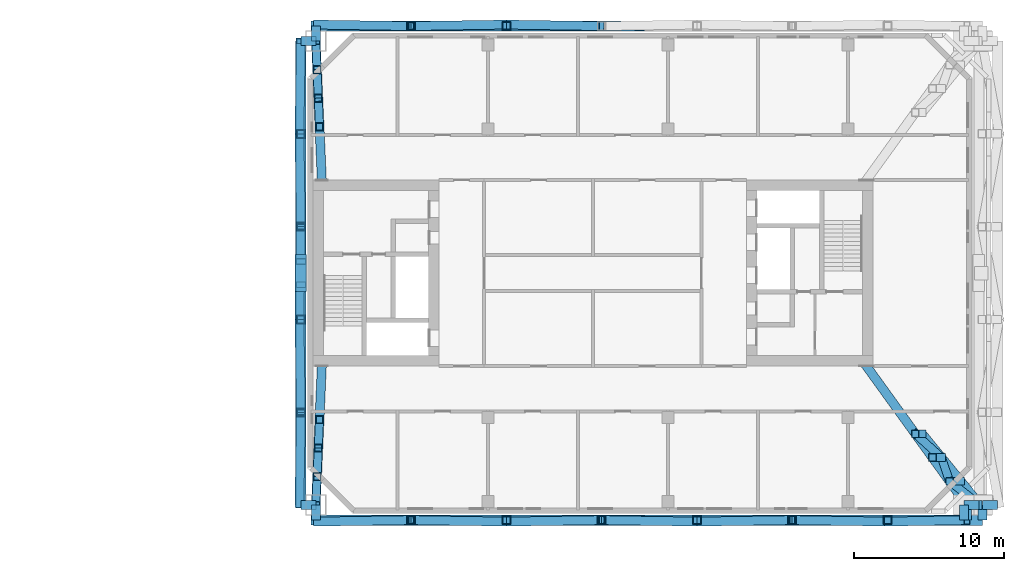
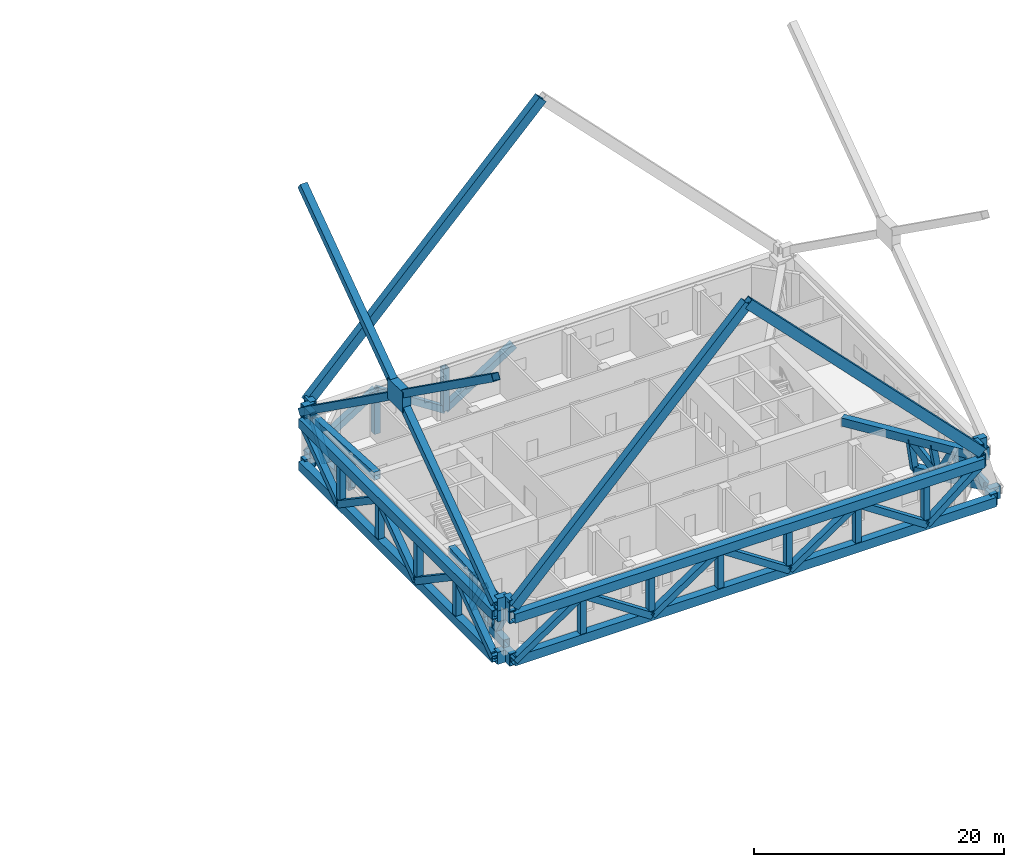
# One storey, part 4 of 20: 53 members, 28 beams.
"""IFC4 building model written with IfcOpenShell, lengths in metres."""

from ifc_helpers import new_model, si_unit, direction, frame, origin, origin_2d, place, context, subcontext, project, spatial, rectangle, hollow_rectangle, extrude, material, material_profile, profile_set, type_object, element, save


model = new_model("IFC4")

# Units and contexts
model_context = context("Model", 3, precision=1e-05, world=origin(), true_north=direction((0.0, 1.0)))
body_context = subcontext(model_context, "Body", "Model", "MODEL_VIEW")
ifc_project = project(units=[si_unit("LENGTHUNIT", "METRE"), si_unit("AREAUNIT", "SQUARE_METRE"), si_unit("VOLUMEUNIT", "CUBIC_METRE"), si_unit("PLANEANGLEUNIT", "RADIAN"), si_unit("MASSUNIT", "GRAM", prefix="KILO")], contexts=[model_context])

# Site, building, storey
site_placement = place(None, origin())
site = spatial("IfcSite", under=ifc_project, at=site_placement, CompositionType="ELEMENT")
building_placement = place(site_placement, origin())
building = spatial("IfcBuilding", under=site, at=building_placement, Name="Tuart Gate Housing", CompositionType="ELEMENT")
storey_placement = place(building_placement, frame((0.0, 0.0, 62.89990234375)))
storey = spatial("IfcBuildingStorey", under=building, at=storey_placement, Name="L17", CompositionType="ELEMENT", Elevation=62.89990234375)

# Beams
ifc_material_1 = material(Name="Steel Grade 350", Category="steel")
ifc_material_profile_1 = material_profile(ifc_material_1, hollow_rectangle(XDim=0.699951171875, YDim=0.89990234375, WallThickness=0.0400390625, at=origin_2d()), Name="BOX 900x700x40")
ifc_profile_set_1 = profile_set([ifc_material_profile_1], Name="Steel Grade 350")
beam_type_1 = type_object("IfcBeamType", Name="Belt truss chord BOX 900x700x40", PredefinedType="BEAM", material=ifc_profile_set_1)
beam_1_placement = place(storey_placement, frame((130.550048828125, 54.550048828125, 3.75), z_axis=(0.0, 1.0, 0.0), x_axis=(-1.0, 0.0, 0.0)))
element("IfcBeam", 1, at=beam_1_placement, inside=storey, type_object=beam_type_1, Name="Belt truss top chord B west L17", PredefinedType="BEAM", context=body_context, shape_type="SweptSolid", body=[
    extrude(hollow_rectangle(XDim=0.699951171875, YDim=0.89990234375, WallThickness=0.0400390625, at=origin_2d()), origin(), (0.0, 0.0, 1.0), 30.89990234375),
])
ifc_material_2 = material(Name="Steel Grade 350", Category="steel")
ifc_material_profile_2 = material_profile(ifc_material_2, hollow_rectangle(XDim=0.699951171875, YDim=0.89990234375, WallThickness=0.0400390625, at=origin_2d()), Name="BOX 900x700x40")
ifc_profile_set_2 = profile_set([ifc_material_profile_2], Name="Steel Grade 350")
beam_type_2 = type_object("IfcBeamType", Name="Belt truss chord BOX 900x700x40 (40.9-51.9 m)", PredefinedType="BEAM", material=ifc_profile_set_2)
beam_2_placement = place(storey_placement, frame((131.550048828125, 53.550048828125, 3.75), z_axis=(1.0, 0.0, 0.0), x_axis=(0.0, 1.0, 0.0)))
element("IfcBeam", 2, at=beam_2_placement, inside=storey, type_object=beam_type_2, Name="Belt truss top chord B south L17", PredefinedType="BEAM", context=body_context, shape_type="SweptSolid", body=[
    extrude(hollow_rectangle(XDim=0.699951171875, YDim=0.89990234375, WallThickness=0.0400390625, at=origin_2d()), origin(), (0.0, 0.0, 1.0), 43.358154296875),
])

# Members
ifc_material_3 = material(Name="Steel Grade 350", Category="steel")
ifc_material_profile_3 = material_profile(ifc_material_3, hollow_rectangle(XDim=0.60009765625, YDim=0.60009765625, WallThickness=0.031982421875, at=origin_2d()), Name="BOX 600x600x32")
ifc_profile_set_3 = profile_set([ifc_material_profile_3], Name="Steel Grade 350")
member_type_1 = type_object("IfcMemberType", Name="Belt truss diagonal BOX 600x600x32", PredefinedType="BRACE", material=ifc_profile_set_3)
for number, where, z_axis, x_axis, name in (
    (3, (131.550048828125, 53.449951171875, -0.39990234375), (0.836733199961, 0.013204796458, 0.547451537064), (-0.015779405464, 0.999875497431, 0.0), "Belt truss diagonal B south 0 L17"),
    (4, (137.892822265625, 53.550048828125, 3.75), (0.836733199961, -0.013204796458, -0.547451537064), (0.015779405464, 0.999875497431, 0.0), "Belt truss diagonal B south 1 L17"),
):
    element("IfcMember", number, at=place(storey_placement, frame(where, z_axis=z_axis, x_axis=x_axis)), inside=storey, type_object=member_type_1, Name=name, PredefinedType="BRACE", context=body_context, shape_type="SweptSolid", body=[
        extrude(hollow_rectangle(XDim=0.60009765625, YDim=0.60009765625, WallThickness=0.031982421875, at=origin_2d()), origin(), (0.0, 0.0, 1.0), 7.580322265625),
    ])
member_1_placement = place(storey_placement, frame((144.235595703125, 53.449951171875, -0.39990234375), z_axis=(0.836742857673, 0.013204440616, 0.54743678437), x_axis=(-0.015778798271, 0.999875507013, 0.0)))
element("IfcMember", 5, at=member_1_placement, inside=storey, type_object=member_type_1, Name="Belt truss diagonal B south 2 L17", PredefinedType="BRACE", context=body_context, shape_type="SweptSolid", body=[
    extrude(hollow_rectangle(XDim=0.60009765625, YDim=0.60009765625, WallThickness=0.031982421875, at=origin_2d()), origin(), (0.0, 0.0, 1.0), 7.58056640625),
])
member_2_placement = place(storey_placement, frame((150.57861328125, 53.550048828125, 3.75), z_axis=(0.836733199961, -0.013204796458, -0.547451537064), x_axis=(0.015779405464, 0.999875497431, 0.0)))
element("IfcMember", 6, at=member_2_placement, inside=storey, type_object=member_type_1, Name="Belt truss diagonal B south 3 L17", PredefinedType="BRACE", context=body_context, shape_type="SweptSolid", body=[
    extrude(hollow_rectangle(XDim=0.60009765625, YDim=0.60009765625, WallThickness=0.031982421875, at=origin_2d()), origin(), (0.0, 0.0, 1.0), 7.580322265625),
])
member_3_placement = place(storey_placement, frame((156.92138671875, 53.449951171875, -0.39990234375), z_axis=(0.836742857673, 0.013204440616, 0.54743678437), x_axis=(-0.015778798271, 0.999875507013, 0.0)))
element("IfcMember", 7, at=member_3_placement, inside=storey, type_object=member_type_1, Name="Belt truss diagonal B south 4 L17", PredefinedType="BRACE", context=body_context, shape_type="SweptSolid", body=[
    extrude(hollow_rectangle(XDim=0.60009765625, YDim=0.60009765625, WallThickness=0.031982421875, at=origin_2d()), origin(), (0.0, 0.0, 1.0), 7.58056640625),
])
member_4_placement = place(storey_placement, frame((163.264404296875, 53.550048828125, 3.75), z_axis=(0.836733199961, -0.013204796458, -0.547451537064), x_axis=(0.015779405464, 0.999875497431, 0.0)))
element("IfcMember", 8, at=member_4_placement, inside=storey, type_object=member_type_1, Name="Belt truss diagonal B south 5 L17", PredefinedType="BRACE", context=body_context, shape_type="SweptSolid", body=[
    extrude(hollow_rectangle(XDim=0.60009765625, YDim=0.60009765625, WallThickness=0.031982421875, at=origin_2d()), origin(), (0.0, 0.0, 1.0), 7.580322265625),
])
member_5_placement = place(storey_placement, frame((169.607177734375, 53.449951171875, -0.39990234375), z_axis=(0.787326138635, 0.014866840917, 0.616357468084), x_axis=(-0.01887933153, 0.999821769537, 0.0)))
element("IfcMember", 9, at=member_5_placement, inside=storey, type_object=member_type_1, Name="Belt truss diagonal B south 6 L17", PredefinedType="BRACE", context=body_context, shape_type="SweptSolid", body=[
    extrude(hollow_rectangle(XDim=0.60009765625, YDim=0.60009765625, WallThickness=0.031982421875, at=origin_2d()), origin(), (0.0, 0.0, 1.0), 6.73291015625),
])
for number, where, z_axis, x_axis, name in (
    (10, (131.550048828125, 86.550048828125, -0.39990234375), (0.836733199961, -0.013204796458, 0.547451537064), (0.015779405464, 0.999875497431, 0.0), "Belt truss diagonal B north 0 L17"),
    (11, (137.892822265625, 86.449951171875, 3.75), (0.836733199961, 0.013204796458, -0.547451537064), (-0.015779405464, 0.999875497431, 0.0), "Belt truss diagonal B north 1 L17"),
):
    element("IfcMember", number, at=place(storey_placement, frame(where, z_axis=z_axis, x_axis=x_axis)), inside=storey, type_object=member_type_1, Name=name, PredefinedType="BRACE", context=body_context, shape_type="SweptSolid", body=[
        extrude(hollow_rectangle(XDim=0.60009765625, YDim=0.60009765625, WallThickness=0.031982421875, at=origin_2d()), origin(), (0.0, 0.0, 1.0), 7.580322265625),
    ])
member_6_placement = place(storey_placement, frame((144.235595703125, 86.550048828125, -0.39990234375), z_axis=(0.836742857673, -0.013204440616, 0.54743678437), x_axis=(0.015778798271, 0.999875507013, 0.0)))
element("IfcMember", 12, at=member_6_placement, inside=storey, type_object=member_type_1, Name="Belt truss diagonal B north 2 L17", PredefinedType="BRACE", context=body_context, shape_type="SweptSolid", body=[
    extrude(hollow_rectangle(XDim=0.60009765625, YDim=0.60009765625, WallThickness=0.031982421875, at=origin_2d()), origin(), (0.0, 0.0, 1.0), 7.58056640625),
])
for number, where, z_axis, x_axis, name in (
    (13, (130.449951171875, 54.550048828125, -0.39990234375), (0.013445527925, 0.830113776504, 0.55743191139), (-0.999868850984, 0.016195086671, 0.0), "Belt truss diagonal B west 0 L17"),
    (14, (130.550048828125, 60.72998046875, 3.75), (-0.013445527925, 0.830113776504, -0.55743191139), (-0.999868850984, -0.016195086671, 0.0), "Belt truss diagonal B west 1 L17"),
):
    element("IfcMember", number, at=place(storey_placement, frame(where, z_axis=z_axis, x_axis=x_axis)), inside=storey, type_object=member_type_1, Name=name, PredefinedType="BRACE", context=body_context, shape_type="SweptSolid", body=[
        extrude(hollow_rectangle(XDim=0.60009765625, YDim=0.60009765625, WallThickness=0.031982421875, at=origin_2d()), origin(), (0.0, 0.0, 1.0), 7.444580078125),
    ])
member_7_placement = place(storey_placement, frame((130.449951171875, 66.909912109375, -0.39990234375), z_axis=(0.013445161909, 0.830123972098, 0.557416736894), x_axis=(-0.999868861343, 0.016194447071, 0.0)))
element("IfcMember", 15, at=member_7_placement, inside=storey, type_object=member_type_1, Name="Belt truss diagonal B west 2 L17", PredefinedType="BRACE", context=body_context, shape_type="SweptSolid", body=[
    extrude(hollow_rectangle(XDim=0.60009765625, YDim=0.60009765625, WallThickness=0.031982421875, at=origin_2d()), origin(), (0.0, 0.0, 1.0), 7.44482421875),
])
for number, where, z_axis, x_axis, name in (
    (16, (130.550048828125, 73.090087890625, 3.75), (-0.013445527925, 0.830113776504, -0.55743191139), (-0.999868850984, -0.016195086671, 0.0), "Belt truss diagonal B west 3 L17"),
    (17, (130.449951171875, 79.27001953125, -0.39990234375), (0.013445527925, 0.830113776504, 0.55743191139), (-0.999868850984, 0.016195086671, 0.0), "Belt truss diagonal B west 4 L17"),
):
    element("IfcMember", number, at=place(storey_placement, frame(where, z_axis=z_axis, x_axis=x_axis)), inside=storey, type_object=member_type_1, Name=name, PredefinedType="BRACE", context=body_context, shape_type="SweptSolid", body=[
        extrude(hollow_rectangle(XDim=0.60009765625, YDim=0.60009765625, WallThickness=0.031982421875, at=origin_2d()), origin(), (0.0, 0.0, 1.0), 7.444580078125),
    ])
ifc_material_4 = material(Name="Steel Grade 350", Category="steel")
ifc_material_profile_4 = material_profile(ifc_material_4, hollow_rectangle(XDim=0.56005859375, YDim=0.56005859375, WallThickness=0.030029296875, at=origin_2d()), Name="BOX 560x560x30")
ifc_profile_set_4 = profile_set([ifc_material_profile_4], Name="Steel Grade 350")
member_type_2 = type_object("IfcMemberType", Name="Belt truss post BOX 560x560x30", PredefinedType="POST", material=ifc_profile_set_4)
for number, where, z_axis, x_axis, name in (
    (18, (137.892822265625, 53.550048828125, -0.39990234375), (0.0, 0.0, 1.0), (1.0, 0.0, 0.0), "Belt truss post B south 1 L17"),
    (19, (144.235595703125, 53.550048828125, -0.39990234375), (0.0, 0.0, 1.0), (1.0, 0.0, 0.0), "Belt truss post B south 2 L17"),
    (20, (150.57861328125, 53.550048828125, -0.39990234375), (0.0, 0.0, 1.0), (1.0, 0.0, 0.0), "Belt truss post B south 3 L17"),
    (21, (156.92138671875, 53.550048828125, -0.39990234375), (0.0, 0.0, 1.0), (1.0, 0.0, 0.0), "Belt truss post B south 4 L17"),
    (22, (163.264404296875, 53.550048828125, -0.39990234375), (0.0, 0.0, 1.0), (1.0, 0.0, 0.0), "Belt truss post B south 5 L17"),
    (23, (169.607177734375, 53.550048828125, -0.39990234375), (0.0, 0.0, 1.0), (1.0, 0.0, 0.0), "Belt truss post B south 6 L17"),
    (24, (137.892822265625, 86.449951171875, -0.39990234375), (0.0, 0.0, 1.0), (1.0, 0.0, 0.0), "Belt truss post B north 1 L17"),
    (25, (144.235595703125, 86.449951171875, -0.39990234375), (0.0, 0.0, 1.0), (1.0, 0.0, 0.0), "Belt truss post B north 2 L17"),
    (26, (130.550048828125, 60.72998046875, -0.39990234375), (0.0, 0.0, 1.0), (1.0, 0.0, 0.0), "Belt truss post B west 1 L17"),
    (27, (130.550048828125, 66.909912109375, -0.39990234375), (0.0, 0.0, 1.0), (1.0, 0.0, 0.0), "Belt truss post B west 2 L17"),
    (28, (130.550048828125, 73.090087890625, -0.39990234375), (0.0, 0.0, 1.0), (1.0, 0.0, 0.0), "Belt truss post B west 3 L17"),
    (29, (130.550048828125, 79.27001953125, -0.39990234375), (0.0, 0.0, 1.0), (1.0, 0.0, 0.0), "Belt truss post B west 4 L17"),
):
    element("IfcMember", number, at=place(storey_placement, frame(where, z_axis=z_axis, x_axis=x_axis)), inside=storey, type_object=member_type_2, Name=name, PredefinedType="POST", context=body_context, shape_type="SweptSolid", body=[
        extrude(hollow_rectangle(XDim=0.56005859375, YDim=0.56005859375, WallThickness=0.030029296875, at=origin_2d()), origin(), (0.0, 0.0, 1.0), 4.14990234375),
    ])
ifc_material_5 = material(Name="Steel Grade 350", Category="steel")
ifc_material_profile_5 = material_profile(ifc_material_5, rectangle(XDim=2.446044921875, YDim=2.0048828125, at=origin_2d()), Name="Brace node plate 2446 x 2005")
ifc_profile_set_5 = profile_set([ifc_material_profile_5], Name="Steel Grade 350")
member_type_3 = type_object("IfcMemberType", Name="Brace node plate 2446 x 2005", PredefinedType="PLATE", material=ifc_profile_set_5)
member_8_placement = place(storey_placement, frame((130.17041015625, 70.0, 15.860107421875), z_axis=(1.0, 0.0, 0.0), x_axis=(0.0, 1.0, 0.0)))
element("IfcMember", 30, at=member_8_placement, inside=storey, type_object=member_type_3, Name="Brace node B zone 3 west", PredefinedType="PLATE", context=body_context, shape_type="SweptSolid", body=[
    extrude(rectangle(XDim=2.446044921875, YDim=2.0048828125, at=origin_2d()), origin(), (0.0, 0.0, 1.0), 0.759033203125),
])

# Beams
ifc_material_6 = material(Name="Steel Grade 350", Category="steel")
ifc_material_profile_6 = material_profile(ifc_material_6, hollow_rectangle(XDim=0.60009765625, YDim=1.199951171875, WallThickness=0.0400390625, at=origin_2d()), Name="BOX 1200x600x40")
ifc_profile_set_6 = profile_set([ifc_material_profile_6], Name="Steel Grade 350")
beam_type_3 = type_object("IfcBeamType", Name="Brace shoe BOX 1200x600x40", PredefinedType="BEAM", material=ifc_profile_set_6)
for number, where, z_axis, x_axis, name in (
    (31, (131.550048828125, 54.550048828125, -0.39990234375), (0.0, -1.0, 0.0), (1.0, 0.0, 0.0), "Mega tie beam B node 2 south shoe 0 L17"),
    (32, (175.949951171875, 54.550048828125, -0.39990234375), (0.0, -1.0, 0.0), (1.0, 0.0, 0.0), "Mega tie beam B node 2 south shoe 1 L17"),
    (33, (131.550048828125, 85.449951171875, -0.39990234375), (0.0, 1.0, 0.0), (-1.0, 0.0, 0.0), "Mega tie beam B node 2 north shoe 0 L17"),
    (34, (175.949951171875, 54.550048828125, -0.39990234375), (1.0, 0.0, 0.0), (0.0, 1.0, 0.0), "Mega tie beam B node 2 east shoe 0 L17"),
    (35, (131.550048828125, 54.550048828125, -0.39990234375), (-1.0, 0.0, 0.0), (0.0, -1.0, 0.0), "Mega tie beam B node 2 west shoe 0 L17"),
    (36, (131.550048828125, 85.449951171875, -0.39990234375), (-1.0, 0.0, 0.0), (0.0, -1.0, 0.0), "Mega tie beam B node 2 west shoe 1 L17"),
    (37, (131.550048828125, 54.550048828125, 4.820068359375), (0.0, -1.0, 0.0), (1.0, 0.0, 0.0), "Mega brace shoe B zone 3 south chevron 1"),
    (38, (174.699951171875, 54.550048828125, 4.820068359375), (0.0, -1.0, 0.0), (1.0, 0.0, 0.0), "Mega brace shoe B zone 3 south chevron 2"),
    (39, (131.550048828125, 85.449951171875, 4.820068359375), (0.0, 1.0, 0.0), (-1.0, 0.0, 0.0), "Mega brace shoe B zone 3 north chevron 1"),
    (40, (174.699951171875, 54.550048828125, 4.820068359375), (1.0, 0.0, 0.0), (0.0, 1.0, 0.0), "Mega brace shoe B zone 3 east cross 1"),
    (41, (131.550048828125, 54.550048828125, 4.820068359375), (-1.0, 0.0, 0.0), (0.0, -1.0, 0.0), "Mega brace shoe B zone 3 west cross 1"),
    (42, (131.550048828125, 85.449951171875, 4.820068359375), (-1.0, 0.0, 0.0), (0.0, -1.0, 0.0), "Mega brace shoe B zone 3 west cross 2"),
    (43, (131.550048828125, 54.550048828125, 3.75), (0.0, -1.0, 0.0), (1.0, 0.0, 0.0), "Belt truss top chord B south shoe 0 L17"),
    (44, (174.908203125, 54.550048828125, 3.75), (0.0, -1.0, 0.0), (1.0, 0.0, 0.0), "Belt truss top chord B south shoe 1 L17"),
    (45, (131.550048828125, 85.449951171875, 3.75), (0.0, 1.0, 0.0), (-1.0, 0.0, 0.0), "Belt truss top chord B north shoe 0 L17"),
    (46, (174.908203125, 54.550048828125, 3.75), (1.0, 0.0, 0.0), (0.0, 1.0, 0.0), "Belt truss top chord B east shoe 0 L17"),
    (47, (131.550048828125, 54.550048828125, 3.75), (-1.0, 0.0, 0.0), (0.0, -1.0, 0.0), "Belt truss top chord B west shoe 0 L17"),
    (48, (131.550048828125, 85.449951171875, 3.75), (-1.0, 0.0, 0.0), (0.0, -1.0, 0.0), "Belt truss top chord B west shoe 1 L17"),
):
    element("IfcBeam", number, at=place(storey_placement, frame(where, z_axis=z_axis, x_axis=x_axis)), inside=storey, type_object=beam_type_3, Name=name, PredefinedType="BEAM", context=body_context, shape_type="SweptSolid", body=[
        extrude(hollow_rectangle(XDim=0.60009765625, YDim=1.199951171875, WallThickness=0.0400390625, at=origin_2d()), origin(), (0.0, 0.0, 1.0), 1.0),
    ])

# Members
ifc_material_7 = material(Name="Steel Grade 350", Category="steel")
ifc_material_profile_7 = material_profile(ifc_material_7, hollow_rectangle(XDim=0.659912109375, YDim=0.659912109375, WallThickness=0.032958984375, at=origin_2d()), Name="BOX 660x660x33")
ifc_profile_set_7 = profile_set([ifc_material_profile_7], Name="Steel Grade 350")
member_type_4 = type_object("IfcMemberType", Name="Mega brace BOX 660x660x33", PredefinedType="BRACE", material=ifc_profile_set_7)
for number, where, z_axis, x_axis, name in (
    (49, (130.550048828125, 54.550048828125, 4.820068359375), (0.0, 0.813622806958, 0.581393092492), (-1.0, 0.0, 0.0), "Mega brace B zone 3 west cross 1 a"),
    (50, (130.550048828125, 70.77294921875, 16.412353515625), (0.0, 0.813622806958, 0.581393092492), (-1.0, 0.0, 0.0), "Mega brace B zone 3 west cross 1 b"),
    (51, (130.550048828125, 85.449951171875, 4.820068359375), (0.0, -0.813622806958, 0.581393092492), (1.0, 0.0, 0.0), "Mega brace B zone 3 west cross 2 a"),
    (52, (130.550048828125, 69.22705078125, 16.412353515625), (0.0, -0.813622806958, 0.581393092492), (1.0, 0.0, 0.0), "Mega brace B zone 3 west cross 2 b"),
):
    element("IfcMember", number, at=place(storey_placement, frame(where, z_axis=z_axis, x_axis=x_axis)), inside=storey, type_object=member_type_4, Name=name, PredefinedType="BRACE", context=body_context, shape_type="SweptSolid", body=[
        extrude(hollow_rectangle(XDim=0.659912109375, YDim=0.659912109375, WallThickness=0.032958984375, at=origin_2d()), origin(), (0.0, 0.0, 1.0), 18.0390625),
    ])
ifc_material_8 = material(Name="Steel Grade 350", Category="steel")
ifc_material_profile_8 = material_profile(ifc_material_8, hollow_rectangle(XDim=0.659912109375, YDim=0.89990234375, WallThickness=0.044921875, at=origin_2d()), Name="BOX 900x660x45")
ifc_profile_set_8 = profile_set([ifc_material_profile_8], Name="Steel Grade 350")
member_type_5 = type_object("IfcMemberType", Name="Mega brace BOX 900x660x45", PredefinedType="BRACE", material=ifc_profile_set_8)
for number, where, z_axis, x_axis, name in (
    (53, (131.550048828125, 53.550048828125, 4.820068359375), (0.698878152792, 0.0, 0.715240747966), (0.0, 1.0, 0.0), "Mega brace B zone 3 south chevron 1"),
    (54, (174.699951171875, 53.550048828125, 4.820068359375), (-0.698878152792, 0.0, 0.715240747966), (0.0, -1.0, 0.0), "Mega brace B zone 3 south chevron 2"),
    (55, (131.550048828125, 86.449951171875, 4.820068359375), (0.698878152792, 0.0, 0.715240747966), (0.0, 1.0, 0.0), "Mega brace B zone 3 north chevron 1"),
):
    element("IfcMember", number, at=place(storey_placement, frame(where, z_axis=z_axis, x_axis=x_axis)), inside=storey, type_object=member_type_5, Name=name, PredefinedType="BRACE", context=body_context, shape_type="SweptSolid", body=[
        extrude(hollow_rectangle(XDim=0.659912109375, YDim=0.89990234375, WallThickness=0.044921875, at=origin_2d()), origin(), (0.0, 0.0, 1.0), 30.870849609375),
    ])

# Beams
ifc_material_9 = material(Name="Steel Grade 350", Category="steel")
ifc_material_profile_9 = material_profile(ifc_material_9, hollow_rectangle(XDim=0.60009765625, YDim=0.800048828125, WallThickness=0.0400390625, at=origin_2d()), Name="BOX 800x600x40")
ifc_profile_set_9 = profile_set([ifc_material_profile_9], Name="Steel Grade 350")
beam_type_4 = type_object("IfcBeamType", Name="Outrigger chord BOX 800x600x40", PredefinedType="BEAM", material=ifc_profile_set_9)
beam_3_placement = place(storey_placement, frame((171.918701171875, 59.300048828125, 0.550048828125), z_axis=(0.632461325247, -0.774591939066, 0.0), x_axis=(0.774591939066, 0.632461325247, 0.0)))
element("IfcBeam", 56, at=beam_3_placement, inside=storey, type_object=beam_type_4, Name="Outrigger bottom chord BK south 0 L17", PredefinedType="BEAM", context=body_context, shape_type="SweptSolid", body=[
    extrude(hollow_rectangle(XDim=0.60009765625, YDim=0.800048828125, WallThickness=0.0400390625, at=origin_2d()), origin(), (0.0, 0.0, 1.0), 6.13232421875),
])
for number, where, z_axis, x_axis, name in (
    (57, (131.7958984375, 60.25, 0.550048828125), (-0.043091815399, -0.99907111631, 0.0), (0.99907111631, -0.043091815399, 0.0), "Outrigger bottom chord BG south 0 L17"),
    (58, (131.7958984375, 79.75, 0.550048828125), (-0.043091815399, 0.99907111631, 0.0), (-0.99907111631, -0.043091815399, 0.0), "Outrigger bottom chord BG north 0 L17"),
):
    element("IfcBeam", number, at=place(storey_placement, frame(where, z_axis=z_axis, x_axis=x_axis)), inside=storey, type_object=beam_type_4, Name=name, PredefinedType="BEAM", context=body_context, shape_type="SweptSolid", body=[
        extrude(hollow_rectangle(XDim=0.60009765625, YDim=0.800048828125, WallThickness=0.0400390625, at=origin_2d()), origin(), (0.0, 0.0, 1.0), 5.705322265625),
    ])
ifc_material_10 = material(Name="Steel Grade 350", Category="steel")
ifc_material_profile_10 = material_profile(ifc_material_10, hollow_rectangle(XDim=0.60009765625, YDim=0.800048828125, WallThickness=0.0400390625, at=origin_2d()), Name="BOX 800x600x40")
ifc_profile_set_10 = profile_set([ifc_material_profile_10], Name="Steel Grade 350")
beam_type_5 = type_object("IfcBeamType", Name="Outrigger chord BOX 800x600x40 (11.2-13.4 m)", PredefinedType="BEAM", material=ifc_profile_set_10)
beam_4_placement = place(storey_placement, frame((168.0400390625, 64.050048828125, 3.800048828125), z_axis=(0.585105461426, -0.810957211577, 0.0), x_axis=(0.810957211577, 0.585105461426, 0.0)))
element("IfcBeam", 59, at=beam_4_placement, inside=storey, type_object=beam_type_5, Name="Outrigger top chord BK south L17", PredefinedType="BEAM", context=body_context, shape_type="SweptSolid", body=[
    extrude(hollow_rectangle(XDim=0.60009765625, YDim=0.800048828125, WallThickness=0.0400390625, at=origin_2d()), origin(), (0.0, 0.0, 1.0), 11.714599609375),
])
ifc_material_11 = material(Name="Steel Grade 350", Category="steel")
ifc_material_profile_11 = material_profile(ifc_material_11, hollow_rectangle(XDim=0.60009765625, YDim=0.800048828125, WallThickness=0.0400390625, at=origin_2d()), Name="BOX 800x600x40")
ifc_profile_set_11 = profile_set([ifc_material_profile_11], Name="Steel Grade 350")
beam_type_6 = type_object("IfcBeamType", Name="Outrigger chord BOX 800x600x40 (8.2-10.5 m)", PredefinedType="BEAM", material=ifc_profile_set_11)
for number, where, z_axis, x_axis, name in (
    (60, (131.9599609375, 64.050048828125, 3.800048828125), (-0.043108531904, -0.999070395156, 0.0), (0.999070395156, -0.043108531904, 0.0), "Outrigger top chord BG south L17"),
    (61, (131.9599609375, 75.949951171875, 3.800048828125), (-0.043108531904, 0.999070395156, 0.0), (-0.999070395156, -0.043108531904, 0.0), "Outrigger top chord BG north L17"),
):
    element("IfcBeam", number, at=place(storey_placement, frame(where, z_axis=z_axis, x_axis=x_axis)), inside=storey, type_object=beam_type_6, Name=name, PredefinedType="BEAM", context=body_context, shape_type="SweptSolid", body=[
        extrude(hollow_rectangle(XDim=0.60009765625, YDim=0.800048828125, WallThickness=0.0400390625, at=origin_2d()), origin(), (0.0, 0.0, 1.0), 9.5087890625),
    ])

# Members
ifc_material_12 = material(Name="Steel Grade 350", Category="steel")
ifc_material_profile_12 = material_profile(ifc_material_12, hollow_rectangle(XDim=0.5400390625, YDim=0.5400390625, WallThickness=0.030029296875, at=origin_2d()), Name="BOX 540x540x30")
ifc_profile_set_12 = profile_set([ifc_material_profile_12], Name="Steel Grade 350")
member_type_6 = type_object("IfcMemberType", Name="Outrigger diagonal BOX 540x540x30", PredefinedType="BRACE", material=ifc_profile_set_12)
member_9_placement = place(storey_placement, frame((171.46728515625, 59.300048828125, 3.800048828125), z_axis=(0.434527607804, -0.394444504005, -0.809690861574), x_axis=(0.672130945207, 0.740432301088, 0.0)))
element("IfcMember", 62, at=member_9_placement, inside=storey, type_object=member_type_6, Name="Outrigger diagonal BK south 3 L17", PredefinedType="BRACE", context=body_context, shape_type="SweptSolid", body=[
    extrude(hollow_rectangle(XDim=0.5400390625, YDim=0.5400390625, WallThickness=0.030029296875, at=origin_2d()), origin(), (0.0, 0.0, 1.0), 4.013916015625),
])
member_10_placement = place(storey_placement, frame((173.21142578125, 57.716796875, 0.550048828125), z_axis=(0.147869916386, -0.433190730658, 0.889089578558), x_axis=(0.946382500605, 0.323048235637, 0.0)))
element("IfcMember", 63, at=member_10_placement, inside=storey, type_object=member_type_6, Name="Outrigger diagonal BK south 4 L17", PredefinedType="BRACE", context=body_context, shape_type="SweptSolid", body=[
    extrude(hollow_rectangle(XDim=0.5400390625, YDim=0.5400390625, WallThickness=0.030029296875, at=origin_2d()), origin(), (0.0, 0.0, 1.0), 3.655517578125),
])
member_11_placement = place(storey_placement, frame((173.751953125, 56.13330078125, 3.800048828125), z_axis=(0.492391126144, -0.381181383913, -0.782465163092), x_axis=(0.612148442535, 0.790742868638, 0.0)))
element("IfcMember", 64, at=member_11_placement, inside=storey, type_object=member_type_6, Name="Outrigger diagonal BK south 5 L17", PredefinedType="BRACE", context=body_context, shape_type="SweptSolid", body=[
    extrude(hollow_rectangle(XDim=0.5400390625, YDim=0.5400390625, WallThickness=0.030029296875, at=origin_2d()), origin(), (0.0, 0.0, 1.0), 4.153564453125),
])
member_12_placement = place(storey_placement, frame((131.7958984375, 60.25, 0.550048828125), z_axis=(-0.021720251236, -0.504558194384, 0.863104431205), x_axis=(0.999074718087, -0.043008228034, 0.0)))
element("IfcMember", 65, at=member_12_placement, inside=storey, type_object=member_type_6, Name="Outrigger diagonal BG south 2 L17", PredefinedType="BRACE", context=body_context, shape_type="SweptSolid", body=[
    extrude(hollow_rectangle(XDim=0.5400390625, YDim=0.5400390625, WallThickness=0.030029296875, at=origin_2d()), origin(), (0.0, 0.0, 1.0), 3.765380859375),
])
member_13_placement = place(storey_placement, frame((131.714111328125, 58.35009765625, 3.800048828125), z_axis=(-0.021784344401, -0.504605810923, -0.863074978158), x_axis=(0.999069432334, -0.043130840198, 0.0)))
element("IfcMember", 66, at=member_13_placement, inside=storey, type_object=member_type_6, Name="Outrigger diagonal BG south 3 L17", PredefinedType="BRACE", context=body_context, shape_type="SweptSolid", body=[
    extrude(hollow_rectangle(XDim=0.5400390625, YDim=0.5400390625, WallThickness=0.030029296875, at=origin_2d()), origin(), (0.0, 0.0, 1.0), 3.765625),
])
for number, where, z_axis, x_axis, name in (
    (67, (131.632080078125, 56.449951171875, 0.550048828125), (-0.021785057082, -0.504557482773, 0.863103213913), (0.999069193493, -0.043136372271, 0.0), "Outrigger diagonal BG south 4 L17"),
    (68, (131.7958984375, 79.75, 0.550048828125), (-0.021720251236, 0.504558194384, 0.863104431205), (-0.999074718087, -0.043008228034, 0.0), "Outrigger diagonal BG north 2 L17"),
):
    element("IfcMember", number, at=place(storey_placement, frame(where, z_axis=z_axis, x_axis=x_axis)), inside=storey, type_object=member_type_6, Name=name, PredefinedType="BRACE", context=body_context, shape_type="SweptSolid", body=[
        extrude(hollow_rectangle(XDim=0.5400390625, YDim=0.5400390625, WallThickness=0.030029296875, at=origin_2d()), origin(), (0.0, 0.0, 1.0), 3.765380859375),
    ])
member_14_placement = place(storey_placement, frame((131.714111328125, 81.64990234375, 3.800048828125), z_axis=(-0.021784344401, 0.504605810923, -0.863074978158), x_axis=(-0.999069432334, -0.043130840198, 0.0)))
element("IfcMember", 69, at=member_14_placement, inside=storey, type_object=member_type_6, Name="Outrigger diagonal BG north 3 L17", PredefinedType="BRACE", context=body_context, shape_type="SweptSolid", body=[
    extrude(hollow_rectangle(XDim=0.5400390625, YDim=0.5400390625, WallThickness=0.030029296875, at=origin_2d()), origin(), (0.0, 0.0, 1.0), 3.765625),
])
member_15_placement = place(storey_placement, frame((131.632080078125, 83.550048828125, 0.550048828125), z_axis=(-0.021785057082, 0.504557482773, 0.863103213913), x_axis=(-0.999069193493, -0.043136372271, 0.0)))
element("IfcMember", 70, at=member_15_placement, inside=storey, type_object=member_type_6, Name="Outrigger diagonal BG north 4 L17", PredefinedType="BRACE", context=body_context, shape_type="SweptSolid", body=[
    extrude(hollow_rectangle(XDim=0.5400390625, YDim=0.5400390625, WallThickness=0.030029296875, at=origin_2d()), origin(), (0.0, 0.0, 1.0), 3.765380859375),
])
ifc_material_13 = material(Name="Steel Grade 350", Category="steel")
ifc_material_profile_13 = material_profile(ifc_material_13, hollow_rectangle(XDim=0.52001953125, YDim=0.52001953125, WallThickness=0.028076171875, at=origin_2d()), Name="BOX 520x520x28")
ifc_profile_set_13 = profile_set([ifc_material_profile_13], Name="Steel Grade 350")
member_type_7 = type_object("IfcMemberType", Name="Outrigger post BOX 520x520x28", PredefinedType="POST", material=ifc_profile_set_13)
member_16_placement = place(storey_placement, frame((171.918701171875, 59.300048828125, 0.550048828125), z_axis=(-0.137576482131, 0.0, 0.990491146636), x_axis=(0.0, -1.0, 0.0)))
element("IfcMember", 71, at=member_16_placement, inside=storey, type_object=member_type_7, Name="Outrigger post BK south 3 L17", PredefinedType="POST", context=body_context, shape_type="SweptSolid", body=[
    extrude(hollow_rectangle(XDim=0.52001953125, YDim=0.52001953125, WallThickness=0.028076171875, at=origin_2d()), origin(), (0.0, 0.0, 1.0), 3.28125),
])
member_17_placement = place(storey_placement, frame((173.21142578125, 57.716796875, 0.550048828125), z_axis=(-0.182076035086, 0.0, 0.983284453984), x_axis=(0.0, -1.0, 0.0)))
element("IfcMember", 72, at=member_17_placement, inside=storey, type_object=member_type_7, Name="Outrigger post BK south 4 L17", PredefinedType="POST", context=body_context, shape_type="SweptSolid", body=[
    extrude(hollow_rectangle(XDim=0.52001953125, YDim=0.52001953125, WallThickness=0.028076171875, at=origin_2d()), origin(), (0.0, 0.0, 1.0), 3.30517578125),
])
member_18_placement = place(storey_placement, frame((174.50439453125, 56.13330078125, 0.550048828125), z_axis=(-0.225554290084, 0.0, 0.974230600128), x_axis=(0.0, -1.0, 0.0)))
element("IfcMember", 73, at=member_18_placement, inside=storey, type_object=member_type_7, Name="Outrigger post BK south 5 L17", PredefinedType="POST", context=body_context, shape_type="SweptSolid", body=[
    extrude(hollow_rectangle(XDim=0.52001953125, YDim=0.52001953125, WallThickness=0.028076171875, at=origin_2d()), origin(), (0.0, 0.0, 1.0), 3.3359375),
])
for number, where, z_axis, x_axis, name in (
    (74, (131.7958984375, 60.25, 0.550048828125), (0.0, 0.0, 1.0), (1.0, 0.0, 0.0), "Outrigger post BG south 2 L17"),
    (75, (131.714111328125, 58.35009765625, 0.550048828125), (0.0, 0.0, 1.0), (1.0, 0.0, 0.0), "Outrigger post BG south 3 L17"),
    (76, (131.632080078125, 56.449951171875, 0.550048828125), (0.0, 0.0, 1.0), (1.0, 0.0, 0.0), "Outrigger post BG south 4 L17"),
    (77, (131.7958984375, 79.75, 0.550048828125), (0.0, 0.0, 1.0), (1.0, 0.0, 0.0), "Outrigger post BG north 2 L17"),
    (78, (131.714111328125, 81.64990234375, 0.550048828125), (0.0, 0.0, 1.0), (1.0, 0.0, 0.0), "Outrigger post BG north 3 L17"),
    (79, (131.632080078125, 83.550048828125, 0.550048828125), (0.0, 0.0, 1.0), (1.0, 0.0, 0.0), "Outrigger post BG north 4 L17"),
):
    element("IfcMember", number, at=place(storey_placement, frame(where, z_axis=z_axis, x_axis=x_axis)), inside=storey, type_object=member_type_7, Name=name, PredefinedType="POST", context=body_context, shape_type="SweptSolid", body=[
        extrude(hollow_rectangle(XDim=0.52001953125, YDim=0.52001953125, WallThickness=0.028076171875, at=origin_2d()), origin(), (0.0, 0.0, 1.0), 3.25),
    ])

# Beams
ifc_material_14 = material(Name="Steel Grade 350", Category="steel")
ifc_material_profile_14 = material_profile(ifc_material_14, hollow_rectangle(XDim=0.699951171875, YDim=0.89990234375, WallThickness=0.0400390625, at=origin_2d()), Name="BOX 900x700x40")
ifc_profile_set_14 = profile_set([ifc_material_profile_14], Name="Steel Grade 350")
beam_type_7 = type_object("IfcBeamType", Name="Tie beam BOX 900x700x40", PredefinedType="BEAM", material=ifc_profile_set_14)
beam_5_placement = place(storey_placement, frame((130.550048828125, 54.550048828125, -0.39990234375), z_axis=(0.0, 1.0, 0.0), x_axis=(-1.0, 0.0, 0.0)))
element("IfcBeam", 80, at=beam_5_placement, inside=storey, type_object=beam_type_7, Name="Mega tie beam B node 2 west L17", PredefinedType="BEAM", context=body_context, shape_type="SweptSolid", body=[
    extrude(hollow_rectangle(XDim=0.699951171875, YDim=0.89990234375, WallThickness=0.0400390625, at=origin_2d()), origin(), (0.0, 0.0, 1.0), 30.89990234375),
])
ifc_material_15 = material(Name="Steel Grade 350", Category="steel")
ifc_material_profile_15 = material_profile(ifc_material_15, hollow_rectangle(XDim=0.699951171875, YDim=0.89990234375, WallThickness=0.0400390625, at=origin_2d()), Name="BOX 900x700x40")
ifc_profile_set_15 = profile_set([ifc_material_profile_15], Name="Steel Grade 350")
beam_type_8 = type_object("IfcBeamType", Name="Tie beam BOX 900x700x40 (40.6-51.7 m)", PredefinedType="BEAM", material=ifc_profile_set_15)
beam_6_placement = place(storey_placement, frame((131.550048828125, 53.550048828125, -0.39990234375), z_axis=(1.0, 0.0, 0.0), x_axis=(0.0, 1.0, 0.0)))
element("IfcBeam", 81, at=beam_6_placement, inside=storey, type_object=beam_type_8, Name="Mega tie beam B node 2 south L17", PredefinedType="BEAM", context=body_context, shape_type="SweptSolid", body=[
    extrude(hollow_rectangle(XDim=0.699951171875, YDim=0.89990234375, WallThickness=0.0400390625, at=origin_2d()), origin(), (0.0, 0.0, 1.0), 44.39990234375),
])

save(model, "model.ifc")
